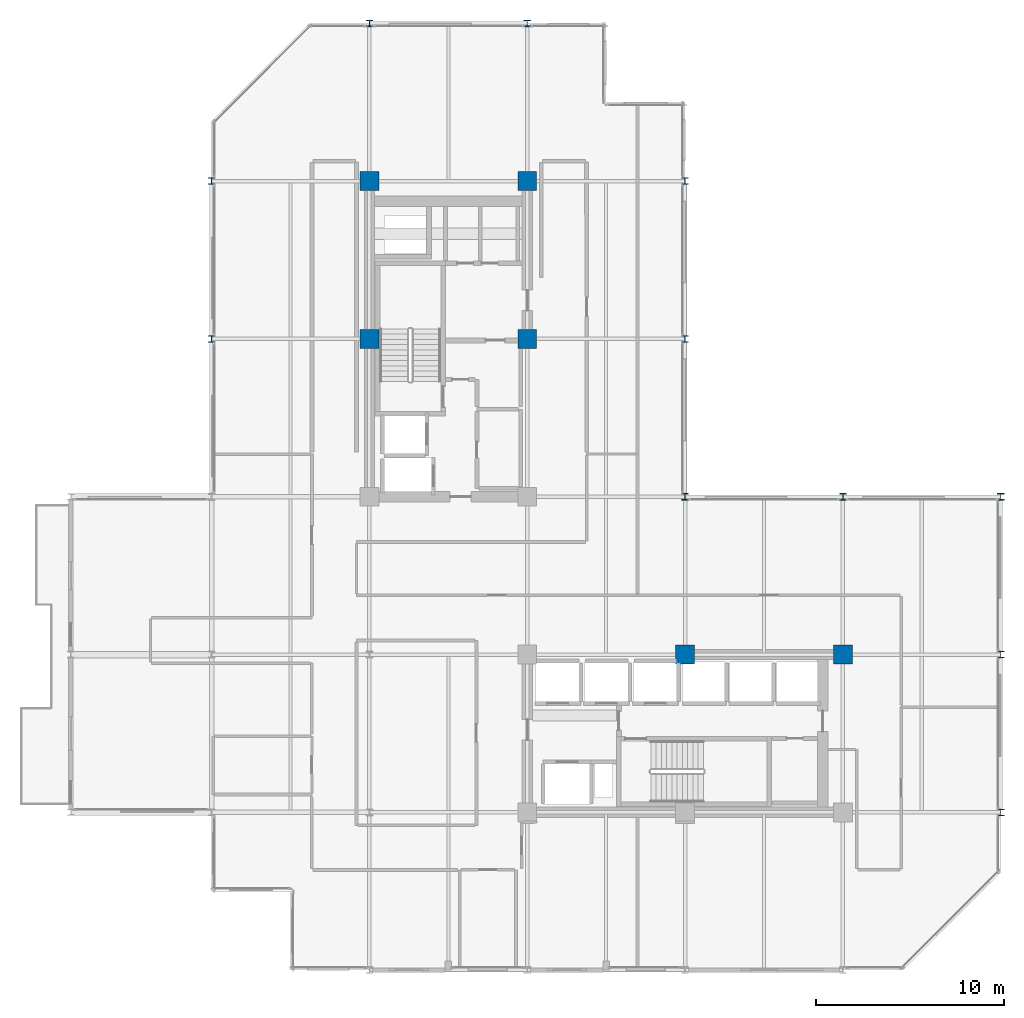
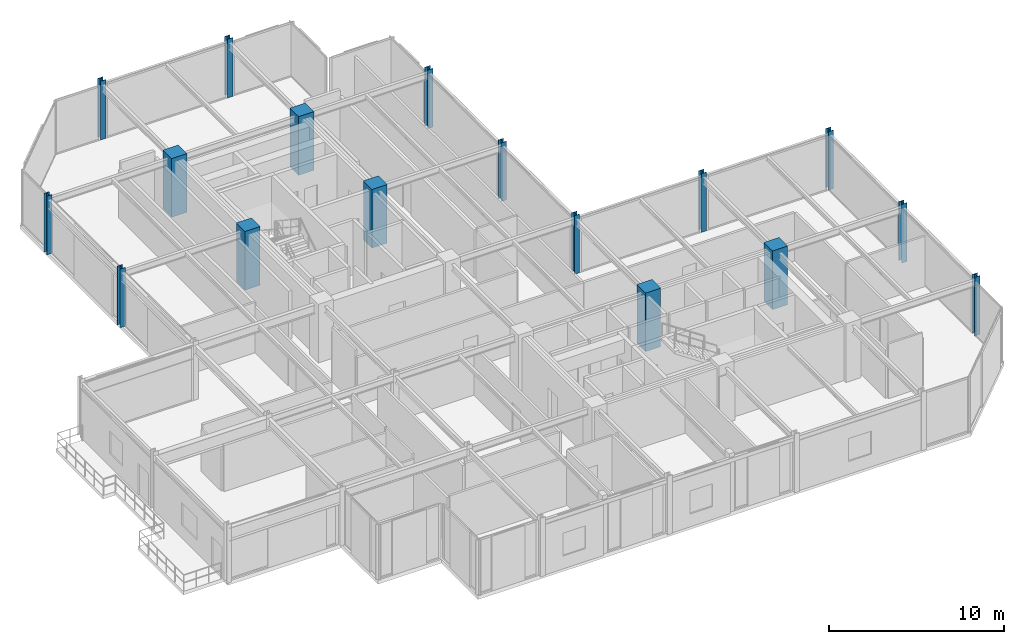
# One storey, part 2 of 29: 17 columns.
"""IFC4 building model written with IfcOpenShell, lengths in metres."""

from ifc_helpers import new_model, si_unit, direction, frame, origin, origin_2d, place, context, subcontext, project, spatial, rectangle, i_section, extrude, material, material_profile, profile_set, type_object, element, save


model = new_model("IFC4")

# Units and contexts
model_context = context("Model", 3, precision=1e-05, world=origin(), true_north=direction((0.0, 1.0)))
body_context = subcontext(model_context, "Body", "Model", "MODEL_VIEW")
ifc_project = project(units=[si_unit("LENGTHUNIT", "METRE"), si_unit("AREAUNIT", "SQUARE_METRE"), si_unit("VOLUMEUNIT", "CUBIC_METRE"), si_unit("PLANEANGLEUNIT", "RADIAN"), si_unit("MASSUNIT", "GRAM", prefix="KILO")], contexts=[model_context])

# Site, building, storey
site_placement = place(None, origin())
site = spatial("IfcSite", under=ifc_project, at=site_placement, CompositionType="ELEMENT")
building_placement = place(site_placement, origin())
building = spatial("IfcBuilding", under=site, at=building_placement, Name="Nerrivon Quay Data Exchange", CompositionType="ELEMENT")
storey_placement = place(building_placement, frame((0.0, 0.0, 208.300048828125)))
storey = spatial("IfcBuildingStorey", under=building, at=storey_placement, Name="L49", CompositionType="ELEMENT", Elevation=208.300048828125)

# Columns
ifc_material_1 = material(Name="Concrete S65 (65 MPa)", Category="concrete")
ifc_material_profile_1 = material_profile(ifc_material_1, rectangle(XDim=1.0, YDim=1.0, at=origin_2d()), Name="RC-COL-1000x1000")
ifc_profile_set_1 = profile_set([ifc_material_profile_1], Name="Concrete S65 (65 MPa)")
column_type_1 = type_object("IfcColumnType", Name="COL-C4-1000", PredefinedType="COLUMN", material=ifc_profile_set_1)
for number, where, z_axis, x_axis, name in (
    (1, (8.39990234375, 33.60009765625, 0.0), (0.0, 0.0, 1.0), (1.0, 0.0, 0.0), "L49 Column (8.4,33.6)"),
    (2, (8.39990234375, 42.0, 0.0), (0.0, 0.0, 1.0), (1.0, 0.0, 0.0), "L49 Column (8.4,42.0)"),
    (3, (16.800048828125, 33.60009765625, 0.0), (0.0, 0.0, 1.0), (1.0, 0.0, 0.0), "L49 Column (16.8,33.6)"),
    (4, (16.800048828125, 42.0, 0.0), (0.0, 0.0, 1.0), (1.0, 0.0, 0.0), "L49 Column (16.8,42.0)"),
    (5, (25.199951171875, 16.800048828125, 0.0), (0.0, 0.0, 1.0), (1.0, 0.0, 0.0), "L49 Column (25.2,16.8)"),
    (6, (33.60009765625, 16.800048828125, 0.0), (0.0, 0.0, 1.0), (1.0, 0.0, 0.0), "L49 Column (33.6,16.8)"),
):
    element("IfcColumn", number, at=place(storey_placement, frame(where, z_axis=z_axis, x_axis=x_axis)), inside=storey, type_object=column_type_1, Name=name, PredefinedType="COLUMN", context=body_context, shape_type="SweptSolid", body=[
        extrude(rectangle(XDim=1.0, YDim=1.0, at=origin_2d()), origin(), (0.0, 0.0, 1.0), 4.099853515625),
    ])
ifc_material_2 = material(Name="Steel Grade 350", Category="steel")
ifc_material_profile_2 = material_profile(ifc_material_2, i_section(OverallWidth=0.35009765625, OverallDepth=0.35009765625, WebThickness=0.02001953125, FlangeThickness=0.031982421875, at=origin_2d()), Name="350WC230")
ifc_profile_set_2 = profile_set([ifc_material_profile_2], Name="Steel Grade 350")
column_type_2 = type_object("IfcColumnType", Name="COL-SC3-350WC", PredefinedType="COLUMN", material=ifc_profile_set_2)
for number, where, z_axis, x_axis, name in (
    (7, (0.0, 33.60009765625, 0.0), (0.0, 0.0, 1.0), (1.0, 0.0, 0.0), "L49 Column (0.0,33.6)"),
    (8, (0.0, 42.0, 0.0), (0.0, 0.0, 1.0), (1.0, 0.0, 0.0), "L49 Column (0.0,42.0)"),
    (9, (8.39990234375, 50.39990234375, 0.0), (0.0, 0.0, 1.0), (1.0, 0.0, 0.0), "L49 Column (8.4,50.4)"),
    (10, (16.800048828125, 50.39990234375, 0.0), (0.0, 0.0, 1.0), (1.0, 0.0, 0.0), "L49 Column (16.8,50.4)"),
    (11, (25.199951171875, 25.199951171875, 0.0), (0.0, 0.0, 1.0), (1.0, 0.0, 0.0), "L49 Column (25.2,25.2)"),
    (12, (25.199951171875, 33.60009765625, 0.0), (0.0, 0.0, 1.0), (1.0, 0.0, 0.0), "L49 Column (25.2,33.6)"),
    (13, (25.199951171875, 42.0, 0.0), (0.0, 0.0, 1.0), (1.0, 0.0, 0.0), "L49 Column (25.2,42.0)"),
    (14, (33.60009765625, 25.199951171875, 0.0), (0.0, 0.0, 1.0), (1.0, 0.0, 0.0), "L49 Column (33.6,25.2)"),
    (15, (42.0, 8.39990234375, 0.0), (0.0, 0.0, 1.0), (1.0, 0.0, 0.0), "L49 Column (42.0,8.4)"),
    (16, (42.0, 16.800048828125, 0.0), (0.0, 0.0, 1.0), (1.0, 0.0, 0.0), "L49 Column (42.0,16.8)"),
    (17, (42.0, 25.199951171875, 0.0), (0.0, 0.0, 1.0), (1.0, 0.0, 0.0), "L49 Column (42.0,25.2)"),
):
    element("IfcColumn", number, at=place(storey_placement, frame(where, z_axis=z_axis, x_axis=x_axis)), inside=storey, type_object=column_type_2, Name=name, PredefinedType="COLUMN", context=body_context, shape_type="SweptSolid", body=[
        extrude(i_section(OverallWidth=0.35009765625, OverallDepth=0.35009765625, WebThickness=0.02001953125, FlangeThickness=0.031982421875, at=origin_2d()), origin(), (0.0, 0.0, 1.0), 4.099853515625),
    ])

save(model, "model.ifc")
